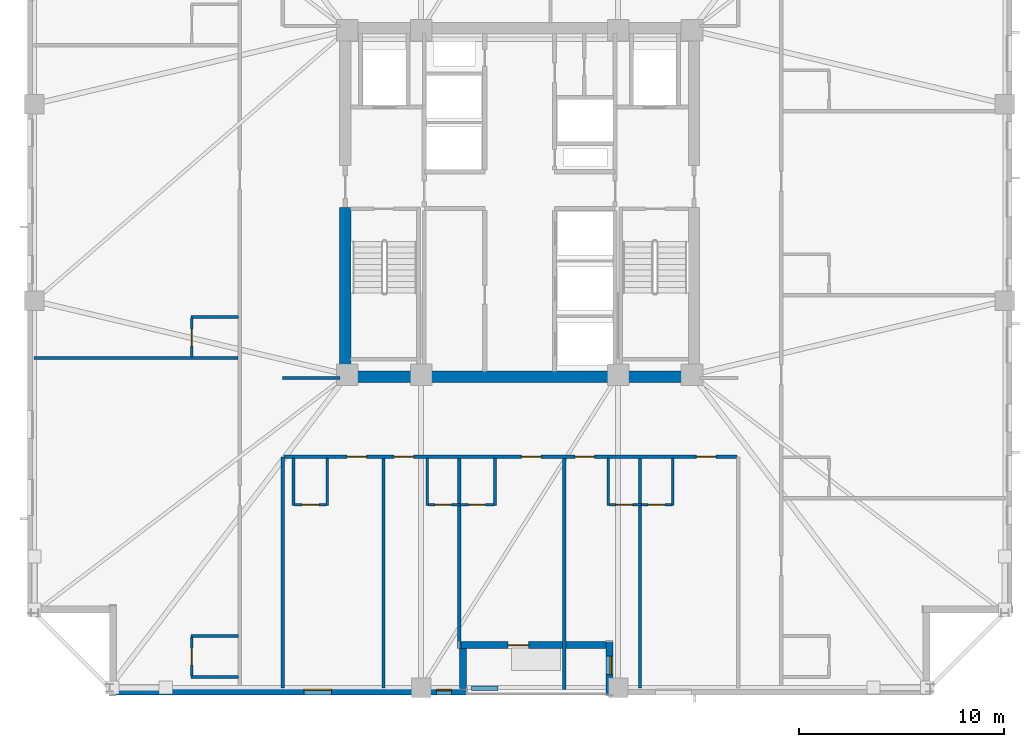
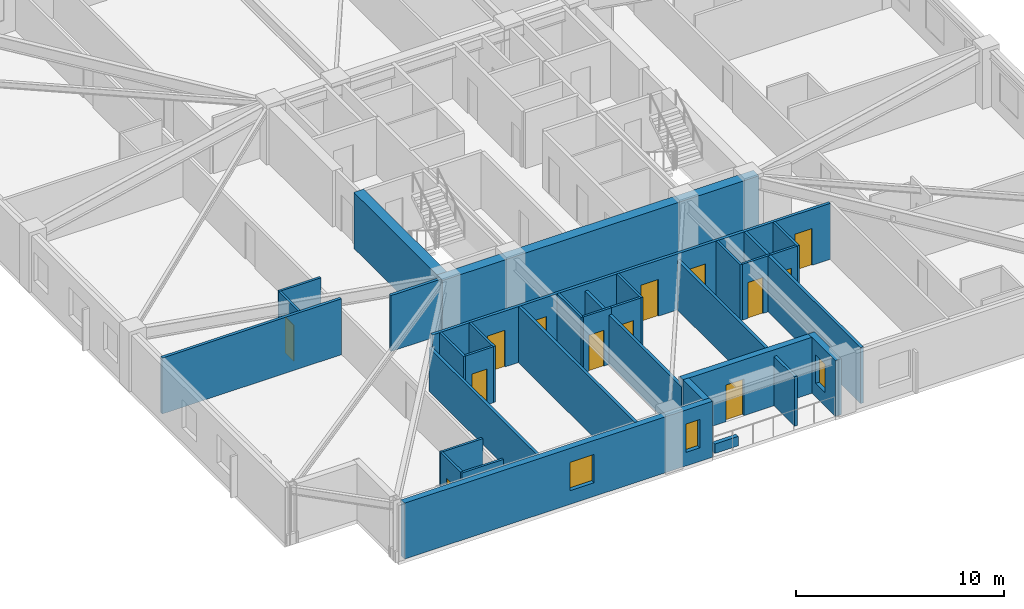
# One storey, part 2 of 11: 31 walls, 13 doors, 3 windows, 16 openings.
"""IFC4 building model written with IfcOpenShell, lengths in metres."""

from ifc_helpers import new_model, si_unit, direction, frame, frame_2d, origin, place, context, subcontext, project, spatial, rectangle, extrude, material, layer, layer_set, type_object, element, fill, save


model = new_model("IFC4")

# Units and contexts
model_context = context("Model", 3, precision=1e-05, world=origin(), true_north=direction((0.0, 1.0)))
body_context = subcontext(model_context, "Body", "Model", "MODEL_VIEW")
ifc_project = project(units=[si_unit("LENGTHUNIT", "METRE"), si_unit("AREAUNIT", "SQUARE_METRE"), si_unit("VOLUMEUNIT", "CUBIC_METRE"), si_unit("PLANEANGLEUNIT", "RADIAN"), si_unit("MASSUNIT", "GRAM", prefix="KILO")], contexts=[model_context])

# Site, building, storey
site_placement = place(None, origin())
site = spatial("IfcSite", under=ifc_project, at=site_placement, CompositionType="ELEMENT")
building_placement = place(site_placement, origin())
building = spatial("IfcBuilding", under=site, at=building_placement, Name="Cairnveth Concourse Tower", CompositionType="ELEMENT")
storey_placement = place(building_placement, frame((0.0, 0.0, 158.5)))
storey = spatial("IfcBuildingStorey", under=building, at=storey_placement, Name="L43", CompositionType="ELEMENT", Elevation=158.5)

# Walls
ifc_material_1 = material(Name="Gypsum Plasterboard Partition", Category="gypsum")
ifc_layer_1 = layer(ifc_material_1, 0.159912109375)
ifc_layer_set_1 = layer_set([ifc_layer_1], Name="Gypsum Plasterboard Partition")
wall_type_1 = type_object("IfcWallType", Name="ACOUSTIC PARTY WALL 180", PredefinedType="PARTITIONING", material=ifc_layer_set_1)
wall_1_placement = place(storey_placement, frame((40.449951171875, 15.324951171875, 0.0), z_axis=(0.0, 0.0, 1.0), x_axis=(0.0, 1.0, 0.0)))
element("IfcWall", 1, at=wall_1_placement, inside=storey, type_object=wall_type_1, Name="Interior Wall IW-L43-037", PredefinedType="PARTITIONING", context=body_context, shape_type="SweptSolid", body=[
    extrude(rectangle(XDim=11.275146484375, YDim=0.159912109375, at=frame_2d((5.6376953125, 0.0))), origin(), (0.0, 0.0, 1.0), 2.554931640625),
])
wall_2_placement = place(storey_placement, frame((40.449951171875, 30.449951171875, 0.0), z_axis=(0.0, 0.0, 1.0), x_axis=(1.0, 0.0, 0.0)))
element("IfcWall", 2, at=wall_2_placement, inside=storey, type_object=wall_type_1, Name="Interior Wall IW-L43-039", PredefinedType="PARTITIONING", context=body_context, shape_type="SweptSolid", body=[
    extrude(rectangle(XDim=2.78515625, YDim=0.159912109375, at=frame_2d((1.392578125, 0.0))), origin(), (0.0, 0.0, 1.0), 3.280029296875),
])

# Wall, openings, doors
wall_3_placement = place(storey_placement, frame((40.514892578125, 26.60009765625, 0.0), z_axis=(0.0, 0.0, 1.0), x_axis=(1.0, 0.0, 0.0)))
wall_3 = element("IfcWall", 3, at=wall_3_placement, inside=storey, type_object=wall_type_1, Name="Interior Wall IW-L43-046", PredefinedType="PARTITIONING", context=body_context, shape_type="SweptSolid", body=[
    extrude(rectangle(XDim=22.070068359375, YDim=0.159912109375, at=frame_2d((11.03515625, 0.0))), origin(), (0.0, 0.0, 1.0), 3.280029296875),
])
opening_1_placement = place(wall_3_placement, frame((3.071533203125, 0.0, 0.0)))
opening_1 = element("IfcOpeningElement", 4, at=opening_1_placement, cuts=wall_3, Name="Opening ID09", PredefinedType="OPENING", context=body_context, shape_type="SweptSolid", body=[
    extrude(rectangle(XDim=0.9599609375, YDim=2.14990234375, at=frame_2d((0.47998046875, 1.074951171875))), frame((0.0, 0.08984375, 0.0), z_axis=(0.0, -1.0, 0.0), x_axis=(1.0, 0.0, 0.0)), (0.0, 0.0, 1.0), 0.179931640625),
])
opening_2_placement = place(wall_3_placement, frame((5.362060546875, 0.0, 0.0)))
opening_2 = element("IfcOpeningElement", 5, at=opening_2_placement, cuts=wall_3, Name="Opening ID09", PredefinedType="OPENING", context=body_context, shape_type="SweptSolid", body=[
    extrude(rectangle(XDim=0.9599609375, YDim=2.14990234375, at=frame_2d((0.47998046875, 1.074951171875))), frame((0.0, 0.08984375, 0.0), z_axis=(0.0, -1.0, 0.0), x_axis=(1.0, 0.0, 0.0)), (0.0, 0.0, 1.0), 0.179931640625),
])
opening_3_placement = place(wall_3_placement, frame((11.56591796875, 0.0, 0.0)))
opening_3 = element("IfcOpeningElement", 6, at=opening_3_placement, cuts=wall_3, Name="Opening ID09", PredefinedType="OPENING", context=body_context, shape_type="SweptSolid", body=[
    extrude(rectangle(XDim=0.9599609375, YDim=2.14990234375, at=frame_2d((0.47998046875, 1.074951171875))), frame((0.0, 0.08984375, 0.0), z_axis=(0.0, -1.0, 0.0), x_axis=(1.0, 0.0, 0.0)), (0.0, 0.0, 1.0), 0.179931640625),
])
opening_4_placement = place(wall_3_placement, frame((14.177978515625, 0.0, 0.0)))
opening_4 = element("IfcOpeningElement", 7, at=opening_4_placement, cuts=wall_3, Name="Opening ID09", PredefinedType="OPENING", context=body_context, shape_type="SweptSolid", body=[
    extrude(rectangle(XDim=0.9599609375, YDim=2.14990234375, at=frame_2d((0.47998046875, 1.074951171875))), frame((0.0, 0.08984375, 0.0), z_axis=(0.0, -1.0, 0.0), x_axis=(1.0, 0.0, 0.0)), (0.0, 0.0, 1.0), 0.179931640625),
])
opening_5_placement = place(wall_3_placement, frame((20.098876953125, 0.0, 0.0)))
opening_5 = element("IfcOpeningElement", 8, at=opening_5_placement, cuts=wall_3, Name="Opening ID09", PredefinedType="OPENING", context=body_context, shape_type="SweptSolid", body=[
    extrude(rectangle(XDim=0.9599609375, YDim=2.14990234375, at=frame_2d((0.47998046875, 1.074951171875))), frame((0.0, 0.08984375, 0.0), z_axis=(0.0, -1.0, 0.0), x_axis=(1.0, 0.0, 0.0)), (0.0, 0.0, 1.0), 0.179931640625),
])
ifc_material_2 = material(Name="Solid Core Hardwood Timber Leaf", Category="wood")
door_type_1 = type_object("IfcDoorType", Name="HOTEL ENTRANCE DOOR 960X2150", OperationType="NOTDEFINED", PredefinedType="DOOR", material=ifc_material_2)
door_1_placement = place(opening_1_placement, origin())
door_1 = element("IfcDoor", 9, at=door_1_placement, inside=storey, type_object=door_type_1, Name="Hotel Room Door L43-S1", OperationType="SINGLE_SWING_LEFT", OverallHeight=2.14990234375, OverallWidth=0.9599609375, PredefinedType="DOOR", context=body_context, shape_type="SweptSolid", body=[
    extrude(rectangle(XDim=0.9599609375, YDim=2.14990234375, at=frame_2d((0.47998046875, 1.074951171875))), frame((0.0, 0.02490234375, 0.0), z_axis=(0.0, -1.0, 0.0), x_axis=(1.0, 0.0, 0.0)), (0.0, 0.0, 1.0), 0.050048828125),
])
fill(opening_1, door_1)
door_2_placement = place(opening_2_placement, origin())
door_2 = element("IfcDoor", 10, at=door_2_placement, inside=storey, type_object=door_type_1, Name="Hotel Room Door L43-S2", OperationType="SINGLE_SWING_LEFT", OverallHeight=2.14990234375, OverallWidth=0.9599609375, PredefinedType="DOOR", context=body_context, shape_type="SweptSolid", body=[
    extrude(rectangle(XDim=0.9599609375, YDim=2.14990234375, at=frame_2d((0.47998046875, 1.074951171875))), frame((0.0, 0.02490234375, 0.0), z_axis=(0.0, -1.0, 0.0), x_axis=(1.0, 0.0, 0.0)), (0.0, 0.0, 1.0), 0.050048828125),
])
fill(opening_2, door_2)
door_3_placement = place(opening_3_placement, origin())
door_3 = element("IfcDoor", 11, at=door_3_placement, inside=storey, type_object=door_type_1, Name="Hotel Room Door L43-S3", OperationType="SINGLE_SWING_LEFT", OverallHeight=2.14990234375, OverallWidth=0.9599609375, PredefinedType="DOOR", context=body_context, shape_type="SweptSolid", body=[
    extrude(rectangle(XDim=0.9599609375, YDim=2.14990234375, at=frame_2d((0.47998046875, 1.074951171875))), frame((0.0, 0.02490234375, 0.0), z_axis=(0.0, -1.0, 0.0), x_axis=(1.0, 0.0, 0.0)), (0.0, 0.0, 1.0), 0.050048828125),
])
fill(opening_3, door_3)
door_4_placement = place(opening_4_placement, origin())
door_4 = element("IfcDoor", 12, at=door_4_placement, inside=storey, type_object=door_type_1, Name="Hotel Room Door L43-S4", OperationType="SINGLE_SWING_LEFT", OverallHeight=2.14990234375, OverallWidth=0.9599609375, PredefinedType="DOOR", context=body_context, shape_type="SweptSolid", body=[
    extrude(rectangle(XDim=0.9599609375, YDim=2.14990234375, at=frame_2d((0.47998046875, 1.074951171875))), frame((0.0, 0.02490234375, 0.0), z_axis=(0.0, -1.0, 0.0), x_axis=(1.0, 0.0, 0.0)), (0.0, 0.0, 1.0), 0.050048828125),
])
fill(opening_4, door_4)
door_5_placement = place(opening_5_placement, origin())
door_5 = element("IfcDoor", 13, at=door_5_placement, inside=storey, type_object=door_type_1, Name="Hotel Room Door L43-S5", OperationType="SINGLE_SWING_LEFT", OverallHeight=2.14990234375, OverallWidth=0.9599609375, PredefinedType="DOOR", context=body_context, shape_type="SweptSolid", body=[
    extrude(rectangle(XDim=0.9599609375, YDim=2.14990234375, at=frame_2d((0.47998046875, 1.074951171875))), frame((0.0, 0.02490234375, 0.0), z_axis=(0.0, -1.0, 0.0), x_axis=(1.0, 0.0, 0.0)), (0.0, 0.0, 1.0), 0.050048828125),
])
fill(opening_5, door_5)

# Walls
wall_4_placement = place(storey_placement, frame((45.360595703125, 15.324951171875, 0.0), z_axis=(0.0, 0.0, 1.0), x_axis=(0.0, 1.0, 0.0)))
element("IfcWall", 14, at=wall_4_placement, inside=storey, type_object=wall_type_1, Name="Interior Wall IW-L43-052", PredefinedType="PARTITIONING", context=body_context, shape_type="SweptSolid", body=[
    extrude(rectangle(XDim=11.195068359375, YDim=0.159912109375, at=frame_2d((5.59765625, 0.0))), origin(), (0.0, 0.0, 1.0), 3.280029296875),
])
wall_5_placement = place(storey_placement, frame((49.053466796875, 17.261962890625, 0.0), z_axis=(0.0, 0.0, 1.0), x_axis=(0.0, 1.0, 0.0)))
element("IfcWall", 15, at=wall_5_placement, inside=storey, type_object=wall_type_1, Name="Interior Wall IW-L43-055", PredefinedType="PARTITIONING", context=body_context, shape_type="SweptSolid", body=[
    extrude(rectangle(XDim=9.258056640625, YDim=0.159912109375, at=frame_2d((4.62890625, 0.0))), origin(), (0.0, 0.0, 1.0), 2.89599609375),
])
wall_6_placement = place(storey_placement, frame((54.176513671875, 15.27001953125, 0.0), z_axis=(0.0, 0.0, 1.0), x_axis=(0.0, 1.0, 0.0)))
element("IfcWall", 16, at=wall_6_placement, inside=storey, type_object=wall_type_1, Name="Interior Wall IW-L43-058", PredefinedType="PARTITIONING", context=body_context, shape_type="SweptSolid", body=[
    extrude(rectangle(XDim=11.25, YDim=0.159912109375, at=frame_2d((5.625, 0.0))), origin(), (0.0, 0.0, 1.0), 2.89599609375),
])
wall_7_placement = place(storey_placement, frame((57.869384765625, 15.324951171875, 0.0), z_axis=(0.0, 0.0, 1.0), x_axis=(0.0, 1.0, 0.0)))
element("IfcWall", 17, at=wall_7_placement, inside=storey, type_object=wall_type_1, Name="Interior Wall IW-L43-061", PredefinedType="PARTITIONING", context=body_context, shape_type="SweptSolid", body=[
    extrude(rectangle(XDim=11.195068359375, YDim=0.159912109375, at=frame_2d((5.59765625, 0.0))), origin(), (0.0, 0.0, 1.0), 3.280029296875),
])
wall_8_placement = place(storey_placement, frame((28.324951171875, 31.41455078125, 0.0), z_axis=(0.0, 0.0, 1.0), x_axis=(1.0, 0.0, 0.0)))
element("IfcWall", 18, at=wall_8_placement, inside=storey, type_object=wall_type_1, Name="Interior Wall IW-L43-067", PredefinedType="PARTITIONING", context=body_context, shape_type="SweptSolid", body=[
    extrude(rectangle(XDim=9.945068359375, YDim=0.159912109375, at=frame_2d((4.97265625, 0.0))), origin(), (0.0, 0.0, 1.0), 3.280029296875),
])
ifc_material_3 = material(Name="Concrete N80 (80 MPa)", Category="concrete")
ifc_layer_2 = layer(ifc_material_3, 0.550048828125)
ifc_layer_set_2 = layer_set([ifc_layer_2], Name="Concrete N80 (80 MPa)")
wall_type_2 = type_object("IfcWallType", Name="CORE SHEAR WALL 550", PredefinedType="SHEAR", material=ifc_layer_set_2)
wall_9_placement = place(storey_placement, frame((43.22509765625, 30.5, 0.0), z_axis=(0.0, 0.0, 1.0), x_axis=(1.0, 0.0, 0.0)))
element("IfcWall", 19, at=wall_9_placement, inside=storey, type_object=wall_type_2, Name="Core South Shear Wall L43", PredefinedType="SHEAR", context=body_context, shape_type="SweptSolid", body=[
    extrude(rectangle(XDim=17.5498046875, YDim=0.550048828125, at=frame_2d((8.77490234375, 0.0))), origin(), (0.0, 0.0, 1.0), 3.280029296875),
])
wall_10_placement = place(storey_placement, frame((43.5, 30.764892578125, 0.0), z_axis=(0.0, 0.0, 1.0), x_axis=(0.0, 1.0, 0.0)))
element("IfcWall", 20, at=wall_10_placement, inside=storey, type_object=wall_type_2, Name="Core West Shear Wall S L43", PredefinedType="SHEAR", context=body_context, shape_type="SweptSolid", body=[
    extrude(rectangle(XDim=7.985107421875, YDim=0.550048828125, at=frame_2d((3.99267578125, 0.0))), origin(), (0.0, 0.0, 1.0), 3.280029296875),
])
ifc_material_4 = material(Name="Dressed Melbourne Bluestone Cladding", Category="masonry")
ifc_layer_3 = layer(ifc_material_4, 0.219970703125)
ifc_layer_set_3 = layer_set([ifc_layer_3], Name="Dressed Melbourne Bluestone Cladding")
wall_type_3 = type_object("IfcWallType", Name="TERRACE PLANTER CURB WALL 220", PredefinedType="PARAPET", material=ifc_layer_set_3)
wall_11_placement = place(storey_placement, frame((49.64990234375, 15.320068359375, 0.0), z_axis=(0.0, 0.0, 1.0), x_axis=(1.0, 0.0, 0.0)))
element("IfcWall", 21, at=wall_11_placement, inside=storey, type_object=wall_type_3, Name="Exterior Wall PLNT-L43-TERR", PredefinedType="PARAPET", context=body_context, shape_type="SweptSolid", body=[
    extrude(rectangle(XDim=1.300048828125, YDim=0.219970703125, at=frame_2d((0.64990234375, 0.0))), origin(), (0.0, 0.0, 1.0), 0.550048828125),
])
ifc_layer_4 = layer(ifc_material_1, 0.1298828125)
ifc_layer_set_4 = layer_set([ifc_layer_4], Name="Gypsum Plasterboard Partition")
wall_type_4 = type_object("IfcWallType", Name="WET AREA PARTITION 140", PredefinedType="PLUMBINGWALL", material=ifc_layer_set_4)
for number, where, z_axis, x_axis, name in (
    (22, (40.97998046875, 24.219970703125, 0.0), (0.0, 0.0, 1.0), (0.0, 1.0, 0.0), "Interior Wall IW-L43-049"),
    (23, (42.622314453125, 24.219970703125, 0.0), (0.0, 0.0, 1.0), (0.0, 1.0, 0.0), "Interior Wall IW-L43-050"),
):
    element("IfcWall", number, at=place(storey_placement, frame(where, z_axis=z_axis, x_axis=x_axis)), inside=storey, type_object=wall_type_4, Name=name, PredefinedType="PLUMBINGWALL", context=body_context, shape_type="SweptSolid", body=[
        extrude(rectangle(XDim=2.31494140625, YDim=0.1298828125, at=frame_2d((1.157470703125, 0.0))), origin(), (0.0, 0.0, 1.0), 3.280029296875),
    ])

# Wall, opening, door
wall_12_placement = place(storey_placement, frame((41.030029296875, 24.27001953125, 0.0), z_axis=(0.0, 0.0, 1.0), x_axis=(1.0, 0.0, 0.0)))
wall_12 = element("IfcWall", 24, at=wall_12_placement, inside=storey, type_object=wall_type_4, Name="Interior Wall IW-L43-051", PredefinedType="PLUMBINGWALL", context=body_context, shape_type="SweptSolid", body=[
    extrude(rectangle(XDim=1.54248046875, YDim=0.1298828125, at=frame_2d((0.771240234375, 0.0))), origin(), (0.0, 0.0, 1.0), 3.280029296875),
])
opening_6_placement = place(wall_12_placement, frame((0.361083984375, 0.0, 0.0)))
opening_6 = element("IfcOpeningElement", 25, at=opening_6_placement, cuts=wall_12, Name="Opening ID22", PredefinedType="OPENING", context=body_context, shape_type="SweptSolid", body=[
    extrude(rectangle(XDim=0.820068359375, YDim=2.10009765625, at=frame_2d((0.41015625, 1.050048828125))), frame((0.0, 0.074951171875, 0.0), z_axis=(0.0, -1.0, 0.0), x_axis=(1.0, 0.0, 0.0)), (0.0, 0.0, 1.0), 0.14990234375),
])
door_type_2 = type_object("IfcDoorType", Name="INTERIOR WC DOOR 820X2100", OperationType="NOTDEFINED", PredefinedType="DOOR", material=ifc_material_2)
door_6_placement = place(opening_6_placement, origin())
door_6 = element("IfcDoor", 26, at=door_6_placement, inside=storey, type_object=door_type_2, Name="En-Suite Door L43-S1", OperationType="SINGLE_SWING_RIGHT", OverallHeight=2.10009765625, OverallWidth=0.820068359375, PredefinedType="DOOR", context=body_context, shape_type="SweptSolid", body=[
    extrude(rectangle(XDim=0.820068359375, YDim=2.10009765625, at=frame_2d((0.41015625, 1.050048828125))), frame((0.0, 0.02490234375, 0.0), z_axis=(0.0, -1.0, 0.0), x_axis=(1.0, 0.0, 0.0)), (0.0, 0.0, 1.0), 0.050048828125),
])
fill(opening_6, door_6)

# Wall
wall_13_placement = place(storey_placement, frame((47.50341796875, 24.219970703125, 0.0), z_axis=(0.0, 0.0, 1.0), x_axis=(0.0, 1.0, 0.0)))
element("IfcWall", 27, at=wall_13_placement, inside=storey, type_object=wall_type_4, Name="Interior Wall IW-L43-053", PredefinedType="PLUMBINGWALL", context=body_context, shape_type="SweptSolid", body=[
    extrude(rectangle(XDim=2.31494140625, YDim=0.1298828125, at=frame_2d((1.157470703125, 0.0))), origin(), (0.0, 0.0, 1.0), 3.280029296875),
])

# Wall, opening, door
wall_14_placement = place(storey_placement, frame((47.553466796875, 24.27001953125, 0.0), z_axis=(0.0, 0.0, 1.0), x_axis=(1.0, 0.0, 0.0)))
wall_14 = element("IfcWall", 28, at=wall_14_placement, inside=storey, type_object=wall_type_4, Name="Interior Wall IW-L43-054", PredefinedType="PLUMBINGWALL", context=body_context, shape_type="SweptSolid", body=[
    extrude(rectangle(XDim=1.550048828125, YDim=0.1298828125, at=frame_2d((0.77490234375, 0.0))), origin(), (0.0, 0.0, 1.0), 3.280029296875),
])
opening_7_placement = place(wall_14_placement, frame((0.31494140625, 0.0, 0.0)))
opening_7 = element("IfcOpeningElement", 29, at=opening_7_placement, cuts=wall_14, Name="Opening ID22", PredefinedType="OPENING", context=body_context, shape_type="SweptSolid", body=[
    extrude(rectangle(XDim=0.820068359375, YDim=2.10009765625, at=frame_2d((0.41015625, 1.050048828125))), frame((0.0, 0.074951171875, 0.0), z_axis=(0.0, -1.0, 0.0), x_axis=(1.0, 0.0, 0.0)), (0.0, 0.0, 1.0), 0.14990234375),
])
door_7_placement = place(opening_7_placement, origin())
door_7 = element("IfcDoor", 30, at=door_7_placement, inside=storey, type_object=door_type_2, Name="En-Suite Door L43-S2", OperationType="SINGLE_SWING_RIGHT", OverallHeight=2.10009765625, OverallWidth=0.820068359375, PredefinedType="DOOR", context=body_context, shape_type="SweptSolid", body=[
    extrude(rectangle(XDim=0.820068359375, YDim=2.10009765625, at=frame_2d((0.41015625, 1.050048828125))), frame((0.0, 0.02490234375, 0.0), z_axis=(0.0, -1.0, 0.0), x_axis=(1.0, 0.0, 0.0)), (0.0, 0.0, 1.0), 0.050048828125),
])
fill(opening_7, door_7)

# Wall
wall_15_placement = place(storey_placement, frame((50.79541015625, 24.219970703125, 0.0), z_axis=(0.0, 0.0, 1.0), x_axis=(0.0, 1.0, 0.0)))
element("IfcWall", 31, at=wall_15_placement, inside=storey, type_object=wall_type_4, Name="Interior Wall IW-L43-056", PredefinedType="PLUMBINGWALL", context=body_context, shape_type="SweptSolid", body=[
    extrude(rectangle(XDim=2.31494140625, YDim=0.1298828125, at=frame_2d((1.157470703125, 0.0))), origin(), (0.0, 0.0, 1.0), 3.280029296875),
])

# Wall, opening, door
wall_16_placement = place(storey_placement, frame((49.118408203125, 24.27001953125, 0.0), z_axis=(0.0, 0.0, 1.0), x_axis=(1.0, 0.0, 0.0)))
wall_16 = element("IfcWall", 32, at=wall_16_placement, inside=storey, type_object=wall_type_4, Name="Interior Wall IW-L43-057", PredefinedType="PLUMBINGWALL", context=body_context, shape_type="SweptSolid", body=[
    extrude(rectangle(XDim=1.626953125, YDim=0.1298828125, at=frame_2d((0.8134765625, 0.0))), origin(), (0.0, 0.0, 1.0), 3.280029296875),
])
opening_8_placement = place(wall_16_placement, frame((0.39599609375, 0.0, 0.0)))
opening_8 = element("IfcOpeningElement", 33, at=opening_8_placement, cuts=wall_16, Name="Opening ID22", PredefinedType="OPENING", context=body_context, shape_type="SweptSolid", body=[
    extrude(rectangle(XDim=0.820068359375, YDim=2.10009765625, at=frame_2d((0.41015625, 1.050048828125))), frame((0.0, 0.074951171875, 0.0), z_axis=(0.0, -1.0, 0.0), x_axis=(1.0, 0.0, 0.0)), (0.0, 0.0, 1.0), 0.14990234375),
])
door_8_placement = place(opening_8_placement, origin())
door_8 = element("IfcDoor", 34, at=door_8_placement, inside=storey, type_object=door_type_2, Name="En-Suite Door L43-S3", OperationType="SINGLE_SWING_RIGHT", OverallHeight=2.10009765625, OverallWidth=0.820068359375, PredefinedType="DOOR", context=body_context, shape_type="SweptSolid", body=[
    extrude(rectangle(XDim=0.820068359375, YDim=2.10009765625, at=frame_2d((0.41015625, 1.050048828125))), frame((0.0, 0.02490234375, 0.0), z_axis=(0.0, -1.0, 0.0), x_axis=(1.0, 0.0, 0.0)), (0.0, 0.0, 1.0), 0.050048828125),
])
fill(opening_8, door_8)

# Wall
wall_17_placement = place(storey_placement, frame((56.319580078125, 24.219970703125, 0.0), z_axis=(0.0, 0.0, 1.0), x_axis=(0.0, 1.0, 0.0)))
element("IfcWall", 35, at=wall_17_placement, inside=storey, type_object=wall_type_4, Name="Interior Wall IW-L43-059", PredefinedType="PLUMBINGWALL", context=body_context, shape_type="SweptSolid", body=[
    extrude(rectangle(XDim=2.31494140625, YDim=0.1298828125, at=frame_2d((1.157470703125, 0.0))), origin(), (0.0, 0.0, 1.0), 3.280029296875),
])

# Wall, opening, door
wall_18_placement = place(storey_placement, frame((56.369384765625, 24.27001953125, 0.0), z_axis=(0.0, 0.0, 1.0), x_axis=(1.0, 0.0, 0.0)))
wall_18 = element("IfcWall", 36, at=wall_18_placement, inside=storey, type_object=wall_type_4, Name="Interior Wall IW-L43-060", PredefinedType="PLUMBINGWALL", context=body_context, shape_type="SweptSolid", body=[
    extrude(rectangle(XDim=1.550048828125, YDim=0.1298828125, at=frame_2d((0.77490234375, 0.0))), origin(), (0.0, 0.0, 1.0), 3.280029296875),
])
opening_9_placement = place(wall_18_placement, frame((0.31494140625, 0.0, 0.0)))
opening_9 = element("IfcOpeningElement", 37, at=opening_9_placement, cuts=wall_18, Name="Opening ID22", PredefinedType="OPENING", context=body_context, shape_type="SweptSolid", body=[
    extrude(rectangle(XDim=0.820068359375, YDim=2.10009765625, at=frame_2d((0.41015625, 1.050048828125))), frame((0.0, 0.074951171875, 0.0), z_axis=(0.0, -1.0, 0.0), x_axis=(1.0, 0.0, 0.0)), (0.0, 0.0, 1.0), 0.14990234375),
])
door_9_placement = place(opening_9_placement, origin())
door_9 = element("IfcDoor", 38, at=door_9_placement, inside=storey, type_object=door_type_2, Name="En-Suite Door L43-S4", OperationType="SINGLE_SWING_RIGHT", OverallHeight=2.10009765625, OverallWidth=0.820068359375, PredefinedType="DOOR", context=body_context, shape_type="SweptSolid", body=[
    extrude(rectangle(XDim=0.820068359375, YDim=2.10009765625, at=frame_2d((0.41015625, 1.050048828125))), frame((0.0, 0.02490234375, 0.0), z_axis=(0.0, -1.0, 0.0), x_axis=(1.0, 0.0, 0.0)), (0.0, 0.0, 1.0), 0.050048828125),
])
fill(opening_9, door_9)

# Wall
wall_19_placement = place(storey_placement, frame((59.4677734375, 24.219970703125, 0.0), z_axis=(0.0, 0.0, 1.0), x_axis=(0.0, 1.0, 0.0)))
element("IfcWall", 39, at=wall_19_placement, inside=storey, type_object=wall_type_4, Name="Interior Wall IW-L43-062", PredefinedType="PLUMBINGWALL", context=body_context, shape_type="SweptSolid", body=[
    extrude(rectangle(XDim=2.31494140625, YDim=0.1298828125, at=frame_2d((1.157470703125, 0.0))), origin(), (0.0, 0.0, 1.0), 3.280029296875),
])

# Wall, opening, door
wall_20_placement = place(storey_placement, frame((57.9345703125, 24.27001953125, 0.0), z_axis=(0.0, 0.0, 1.0), x_axis=(1.0, 0.0, 0.0)))
wall_20 = element("IfcWall", 40, at=wall_20_placement, inside=storey, type_object=wall_type_4, Name="Interior Wall IW-L43-063", PredefinedType="PLUMBINGWALL", context=body_context, shape_type="SweptSolid", body=[
    extrude(rectangle(XDim=1.483154296875, YDim=0.1298828125, at=frame_2d((0.74169921875, 0.0))), origin(), (0.0, 0.0, 1.0), 3.280029296875),
])
opening_10_placement = place(wall_20_placement, frame((0.32421875, 0.0, 0.0)))
opening_10 = element("IfcOpeningElement", 41, at=opening_10_placement, cuts=wall_20, Name="Opening ID22", PredefinedType="OPENING", context=body_context, shape_type="SweptSolid", body=[
    extrude(rectangle(XDim=0.820068359375, YDim=2.10009765625, at=frame_2d((0.41015625, 1.050048828125))), frame((0.0, 0.074951171875, 0.0), z_axis=(0.0, -1.0, 0.0), x_axis=(1.0, 0.0, 0.0)), (0.0, 0.0, 1.0), 0.14990234375),
])
door_10_placement = place(opening_10_placement, origin())
door_10 = element("IfcDoor", 42, at=door_10_placement, inside=storey, type_object=door_type_2, Name="En-Suite Door L43-S5", OperationType="SINGLE_SWING_RIGHT", OverallHeight=2.10009765625, OverallWidth=0.820068359375, PredefinedType="DOOR", context=body_context, shape_type="SweptSolid", body=[
    extrude(rectangle(XDim=0.820068359375, YDim=2.10009765625, at=frame_2d((0.41015625, 1.050048828125))), frame((0.0, 0.02490234375, 0.0), z_axis=(0.0, -1.0, 0.0), x_axis=(1.0, 0.0, 0.0)), (0.0, 0.0, 1.0), 0.050048828125),
])
fill(opening_10, door_10)

# Walls
for number, where, z_axis, x_axis, name in (
    (43, (35.969970703125, 15.8701171875, 0.0), (0.0, 0.0, 1.0), (1.0, 0.0, 0.0), "Interior Wall IW-L43-064"),
    (44, (35.969970703125, 17.8701171875, 0.0), (0.0, 0.0, 1.0), (1.0, 0.0, 0.0), "Interior Wall IW-L43-065"),
):
    element("IfcWall", number, at=place(storey_placement, frame(where, z_axis=z_axis, x_axis=x_axis)), inside=storey, type_object=wall_type_4, Name=name, PredefinedType="PLUMBINGWALL", context=body_context, shape_type="SweptSolid", body=[
        extrude(rectangle(XDim=2.31494140625, YDim=0.1298828125, at=frame_2d((1.157470703125, 0.0))), origin(), (0.0, 0.0, 1.0), 3.280029296875),
    ])

# Wall, opening, door
wall_21_placement = place(storey_placement, frame((36.02001953125, 15.919921875, 0.0), z_axis=(0.0, 0.0, 1.0), x_axis=(0.0, 1.0, 0.0)))
wall_21 = element("IfcWall", 45, at=wall_21_placement, inside=storey, type_object=wall_type_4, Name="Interior Wall IW-L43-066", PredefinedType="PLUMBINGWALL", context=body_context, shape_type="SweptSolid", body=[
    extrude(rectangle(XDim=1.900146484375, YDim=0.1298828125, at=frame_2d((0.9501953125, 0.0))), origin(), (0.0, 0.0, 1.0), 3.280029296875),
])
opening_11_placement = place(wall_21_placement, frame((0.5400390625, 0.0, 0.0)))
opening_11 = element("IfcOpeningElement", 46, at=opening_11_placement, cuts=wall_21, Name="Opening ID22", PredefinedType="OPENING", context=body_context, shape_type="SweptSolid", body=[
    extrude(rectangle(XDim=0.820068359375, YDim=2.10009765625, at=frame_2d((0.41015625, 1.050048828125))), frame((0.0, 0.074951171875, 0.0), z_axis=(0.0, -1.0, 0.0), x_axis=(1.0, 0.0, 0.0)), (0.0, 0.0, 1.0), 0.14990234375),
])
door_11_placement = place(opening_11_placement, origin())
door_11 = element("IfcDoor", 47, at=door_11_placement, inside=storey, type_object=door_type_2, Name="En-Suite Door L43-W1", OperationType="SINGLE_SWING_RIGHT", OverallHeight=2.10009765625, OverallWidth=0.820068359375, PredefinedType="DOOR", context=body_context, shape_type="SweptSolid", body=[
    extrude(rectangle(XDim=0.820068359375, YDim=2.10009765625, at=frame_2d((0.41015625, 1.050048828125))), frame((0.0, 0.02490234375, 0.0), z_axis=(0.0, -1.0, 0.0), x_axis=(1.0, 0.0, 0.0)), (0.0, 0.0, 1.0), 0.050048828125),
])
fill(opening_11, door_11)

# Wall
wall_22_placement = place(storey_placement, frame((35.969970703125, 33.41455078125, 0.0), z_axis=(0.0, 0.0, 1.0), x_axis=(1.0, 0.0, 0.0)))
element("IfcWall", 48, at=wall_22_placement, inside=storey, type_object=wall_type_4, Name="Interior Wall IW-L43-068", PredefinedType="PLUMBINGWALL", context=body_context, shape_type="SweptSolid", body=[
    extrude(rectangle(XDim=2.31494140625, YDim=0.1298828125, at=frame_2d((1.157470703125, 0.0))), origin(), (0.0, 0.0, 1.0), 3.280029296875),
])

# Wall, opening, door
wall_23_placement = place(storey_placement, frame((36.02001953125, 31.4794921875, 0.0), z_axis=(0.0, 0.0, 1.0), x_axis=(0.0, 1.0, 0.0)))
wall_23 = element("IfcWall", 49, at=wall_23_placement, inside=storey, type_object=wall_type_4, Name="Interior Wall IW-L43-069", PredefinedType="PLUMBINGWALL", context=body_context, shape_type="SweptSolid", body=[
    extrude(rectangle(XDim=1.885009765625, YDim=0.1298828125, at=frame_2d((0.9423828125, 0.0))), origin(), (0.0, 0.0, 1.0), 3.280029296875),
])
opening_12_placement = place(wall_23_placement, frame((0.52490234375, 0.0, 0.0)))
opening_12 = element("IfcOpeningElement", 50, at=opening_12_placement, cuts=wall_23, Name="Opening ID22", PredefinedType="OPENING", context=body_context, shape_type="SweptSolid", body=[
    extrude(rectangle(XDim=0.820068359375, YDim=2.10009765625, at=frame_2d((0.41015625, 1.050048828125))), frame((0.0, 0.074951171875, 0.0), z_axis=(0.0, -1.0, 0.0), x_axis=(1.0, 0.0, 0.0)), (0.0, 0.0, 1.0), 0.14990234375),
])
door_12_placement = place(opening_12_placement, origin())
door_12 = element("IfcDoor", 51, at=door_12_placement, inside=storey, type_object=door_type_2, Name="En-Suite Door L43-W2", OperationType="SINGLE_SWING_RIGHT", OverallHeight=2.10009765625, OverallWidth=0.820068359375, PredefinedType="DOOR", context=body_context, shape_type="SweptSolid", body=[
    extrude(rectangle(XDim=0.820068359375, YDim=2.10009765625, at=frame_2d((0.41015625, 1.050048828125))), frame((0.0, 0.02490234375, 0.0), z_axis=(0.0, -1.0, 0.0), x_axis=(1.0, 0.0, 0.0)), (0.0, 0.0, 1.0), 0.050048828125),
])
fill(opening_12, door_12)

# Wall, openings, windows
ifc_material_5 = material(Name="Hawthorn Red-Ochre Fired Clay Brick Masonry", Category="masonry")
ifc_layer_5 = layer(ifc_material_5, 0.340087890625)
ifc_layer_set_5 = layer_set([ifc_layer_5], Name="Hawthorn Red-Ochre Fired Clay Brick Masonry")
wall_type_5 = type_object("IfcWallType", Name="ZONE 2 BRICK PIER SPANDREL WALL 340", PredefinedType="SOLIDWALL", material=ifc_layer_set_5)
wall_24_placement = place(storey_placement, frame((49.39990234375, 15.169921875, 0.0), z_axis=(0.0, 0.0, 1.0), x_axis=(-1.0, 0.0, 0.0)))
wall_24 = element("IfcWall", 52, at=wall_24_placement, inside=storey, type_object=wall_type_5, Name="Exterior Wall EW-L43-S00", PredefinedType="SOLIDWALL", context=body_context, shape_type="SweptSolid", body=[
    extrude(rectangle(XDim=17.081787109375, YDim=0.340087890625, at=frame_2d((8.541015625, 0.0))), origin(), (0.0, 0.0, 1.0), 3.280029296875),
])
opening_13_placement = place(wall_24_placement, frame((6.56591796875, 0.0, 0.800048828125)))
opening_13 = element("IfcOpeningElement", 53, at=opening_13_placement, cuts=wall_24, Name="Opening W02", PredefinedType="OPENING", context=body_context, shape_type="SweptSolid", body=[
    extrude(rectangle(XDim=1.35009765625, YDim=1.659912109375, at=frame_2d((0.675048828125, 0.830078125))), frame((0.0, 0.179931640625, 0.0), z_axis=(0.0, -1.0, 0.0), x_axis=(1.0, 0.0, 0.0)), (0.0, 0.0, 1.0), 0.360107421875),
])
opening_14_placement = place(wall_24_placement, frame((0.7099609375, 0.0, 0.800048828125)))
opening_14 = element("IfcOpeningElement", 54, at=opening_14_placement, cuts=wall_24, Name="Opening W14", PredefinedType="OPENING", context=body_context, shape_type="SweptSolid", body=[
    extrude(rectangle(XDim=0.75, YDim=1.659912109375, at=frame_2d((0.375, 0.830078125))), frame((0.0, 0.179931640625, 0.0), z_axis=(0.0, -1.0, 0.0), x_axis=(1.0, 0.0, 0.0)), (0.0, 0.0, 1.0), 0.360107421875),
])
ifc_material_6 = material(Name="Double Glazed Low-E Clear Glass", Category="glass")
window_type_1 = type_object("IfcWindowType", Name="DEEP-SET GOTHIC LANCET WINDOW 1350X1800", PartitioningType="DOUBLE_PANEL_VERTICAL", PredefinedType="WINDOW", material=ifc_material_6)
window_1_placement = place(opening_13_placement, origin())
window_1 = element("IfcWindow", 55, at=window_1_placement, inside=storey, type_object=window_type_1, Name="Gothic Lancet Window L43-0-2", OverallHeight=1.659912109375, OverallWidth=1.35009765625, PartitioningType="SINGLE_PANEL", PredefinedType="WINDOW", context=body_context, shape_type="SweptSolid", body=[
    extrude(rectangle(XDim=1.35009765625, YDim=1.659912109375, at=frame_2d((0.675048828125, 0.830078125))), frame((0.0, -0.050048828125, 0.0), z_axis=(0.0, -1.0, 0.0), x_axis=(1.0, 0.0, 0.0)), (0.0, 0.0, 1.0), 0.06005859375),
])
fill(opening_13, window_1)
window_type_2 = type_object("IfcWindowType", Name="DEEP-SET NARROW LANCET WINDOW 750X1750", PartitioningType="DOUBLE_PANEL_VERTICAL", PredefinedType="WINDOW", material=ifc_material_6)
window_2_placement = place(opening_14_placement, origin())
window_2 = element("IfcWindow", 56, at=window_2_placement, inside=storey, type_object=window_type_2, Name="Dwelling Lancet Window L43-DW1", OverallHeight=1.659912109375, OverallWidth=0.75, PartitioningType="SINGLE_PANEL", PredefinedType="WINDOW", context=body_context, shape_type="SweptSolid", body=[
    extrude(rectangle(XDim=0.75, YDim=1.659912109375, at=frame_2d((0.375, 0.830078125))), frame((0.0, -0.0400390625, 0.0), z_axis=(0.0, -1.0, 0.0), x_axis=(1.0, 0.0, 0.0)), (0.0, 0.0, 1.0), 0.06005859375),
])
fill(opening_14, window_2)

# Wall, opening, window
wall_25_placement = place(storey_placement, frame((56.3701171875, 15.0, 0.0), z_axis=(0.0, 0.0, 1.0), x_axis=(0.0, 1.0, 0.0)))
wall_25 = element("IfcWall", 57, at=wall_25_placement, inside=storey, type_object=wall_type_5, Name="Exterior Wall EW-L43-S13", PredefinedType="SOLIDWALL", context=body_context, shape_type="SweptSolid", body=[
    extrude(rectangle(XDim=2.590087890625, YDim=0.340087890625, at=frame_2d((1.294921875, 0.0))), origin(), (0.0, 0.0, 1.0), 3.280029296875),
])
opening_15_placement = place(wall_25_placement, frame((0.989990234375, 0.0, 0.800048828125)))
opening_15 = element("IfcOpeningElement", 58, at=opening_15_placement, cuts=wall_25, Name="Opening W13", PredefinedType="OPENING", context=body_context, shape_type="SweptSolid", body=[
    extrude(rectangle(XDim=0.89990234375, YDim=1.659912109375, at=frame_2d((0.449951171875, 0.830078125))), frame((0.0, 0.179931640625, 0.0), z_axis=(0.0, -1.0, 0.0), x_axis=(1.0, 0.0, 0.0)), (0.0, 0.0, 1.0), 0.360107421875),
])
window_type_3 = type_object("IfcWindowType", Name="DEEP-SET BEDROOM LANCET WINDOW 900X1750", PartitioningType="DOUBLE_PANEL_VERTICAL", PredefinedType="WINDOW", material=ifc_material_6)
window_3_placement = place(opening_15_placement, origin())
window_3 = element("IfcWindow", 59, at=window_3_placement, inside=storey, type_object=window_type_3, Name="Dwelling Lancet Window L43-DW2", OverallHeight=1.659912109375, OverallWidth=0.89990234375, PartitioningType="SINGLE_PANEL", PredefinedType="WINDOW", context=body_context, shape_type="SweptSolid", body=[
    extrude(rectangle(XDim=0.89990234375, YDim=1.659912109375, at=frame_2d((0.449951171875, 0.830078125))), frame((0.0, -0.0400390625, 0.0), z_axis=(0.0, -1.0, 0.0), x_axis=(1.0, 0.0, 0.0)), (0.0, 0.0, 1.0), 0.06005859375),
])
fill(opening_15, window_3)

# Wall, opening, door
wall_26_placement = place(storey_placement, frame((56.221923828125, 17.419921875, 0.0), z_axis=(0.0, 0.0, 1.0), x_axis=(-1.0, 0.0, 0.0)))
wall_26 = element("IfcWall", 60, at=wall_26_placement, inside=storey, type_object=wall_type_5, Name="Exterior Wall EW-L43-S14", PredefinedType="SOLIDWALL", context=body_context, shape_type="SweptSolid", body=[
    extrude(rectangle(XDim=7.161865234375, YDim=0.340087890625, at=frame_2d((3.5810546875, 0.0))), origin(), (0.0, 0.0, 1.0), 3.280029296875),
])
opening_16_placement = place(wall_26_placement, frame((3.77880859375, 0.0, 0.0)))
opening_16 = element("IfcOpeningElement", 61, at=opening_16_placement, cuts=wall_26, Name="Opening ED4", PredefinedType="OPENING", context=body_context, shape_type="SweptSolid", body=[
    extrude(rectangle(XDim=1.0, YDim=2.14990234375, at=frame_2d((0.5, 1.074951171875))), frame((0.0, 0.179931640625, 0.0), z_axis=(0.0, -1.0, 0.0), x_axis=(1.0, 0.0, 0.0)), (0.0, 0.0, 1.0), 0.360107421875),
])
ifc_material_7 = material(Name="Architectural Bronze Anodised Aluminium 6063-T6", Category="aluminium")
door_type_3 = type_object("IfcDoorType", Name="TERRACE GLAZED DOOR 1000X2150", OperationType="NOTDEFINED", PredefinedType="DOOR", material=ifc_material_7)
door_13_placement = place(opening_16_placement, origin())
door_13 = element("IfcDoor", 62, at=door_13_placement, inside=storey, type_object=door_type_3, Name="Spiral Terrace Door L43", OperationType="SINGLE_SWING_RIGHT", OverallHeight=2.14990234375, OverallWidth=1.0, PredefinedType="DOOR", context=body_context, shape_type="SweptSolid", body=[
    extrude(rectangle(XDim=1.0, YDim=2.14990234375, at=frame_2d((0.5, 1.074951171875))), frame((0.0, 0.02490234375, 0.0), z_axis=(0.0, -1.0, 0.0), x_axis=(1.0, 0.0, 0.0)), (0.0, 0.0, 1.0), 0.050048828125),
])
fill(opening_16, door_13)

# Wall
wall_27_placement = place(storey_placement, frame((49.22998046875, 17.27197265625, 0.0), z_axis=(0.0, 0.0, 1.0), x_axis=(0.0, -1.0, 0.0)))
element("IfcWall", 63, at=wall_27_placement, inside=storey, type_object=wall_type_5, Name="Exterior Wall EW-L43-S15", PredefinedType="SOLIDWALL", context=body_context, shape_type="SweptSolid", body=[
    extrude(rectangle(XDim=1.953857421875, YDim=0.340087890625, at=frame_2d((0.97705078125, 0.0))), origin(), (0.0, 0.0, 1.0), 3.280029296875),
])

save(model, "model.ifc")
